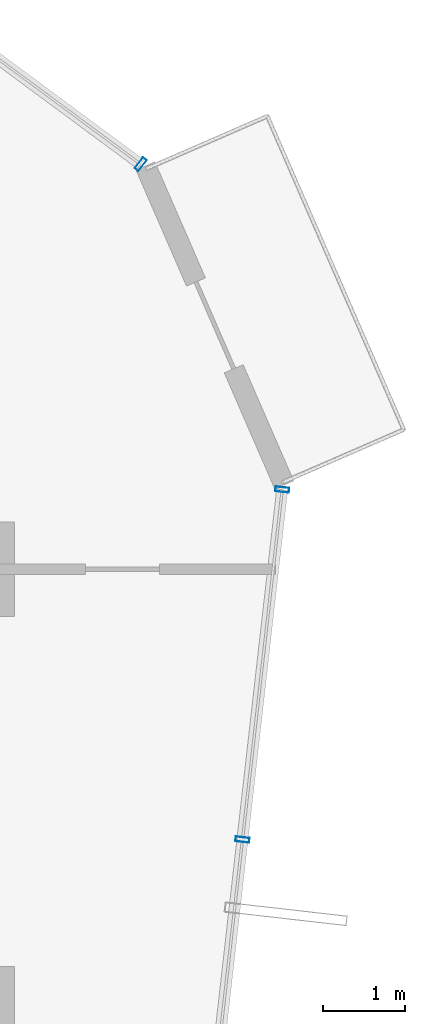
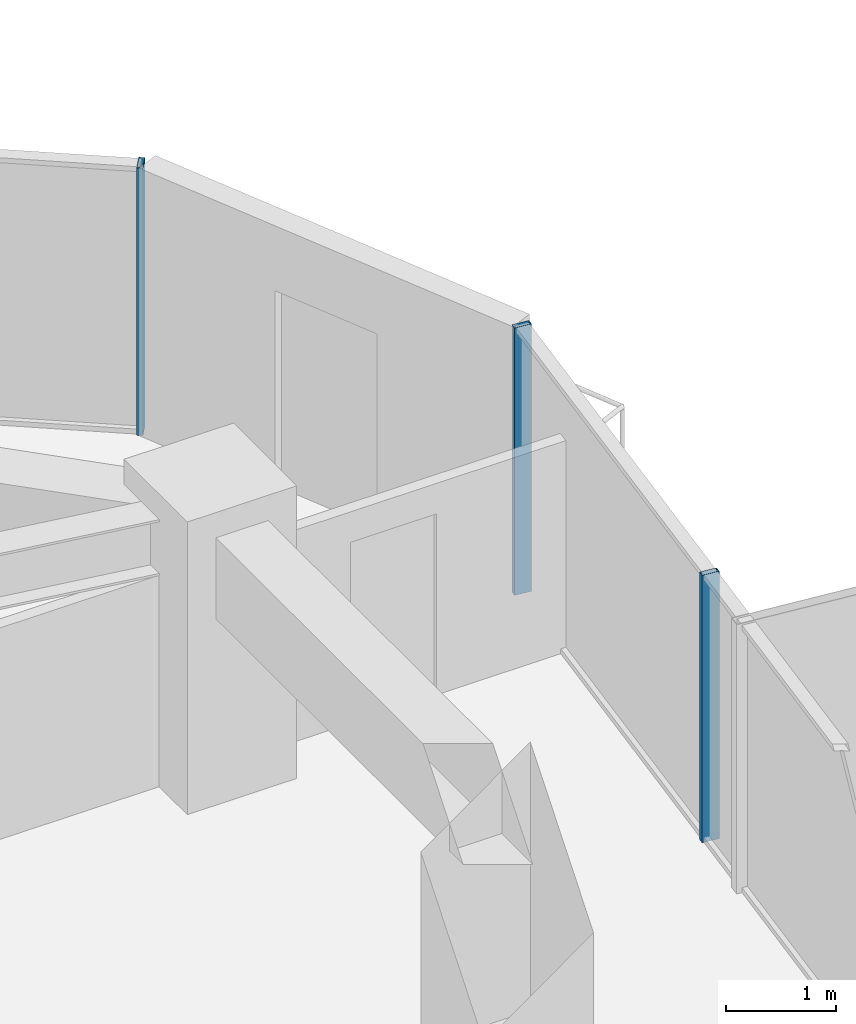
# One storey, part 16 of 29: 3 members, 2 elements without a shape of their own.
"""IFC4 building model written with IfcOpenShell, lengths in metres."""

from ifc_helpers import new_model, si_unit, direction, frame, origin, origin_2d, place, context, subcontext, project, spatial, hollow_rectangle, extrude, source, transform, mapped, material, layer, layer_set, material_profile, profile_set, type_object, element, aggregate, save


model = new_model("IFC4")

# Units and contexts
model_context = context("Model", 3, precision=1e-05, world=origin(), true_north=direction((0.0, 1.0)))
body_context = subcontext(model_context, "Body", "Model", "MODEL_VIEW")
ifc_project = project(units=[si_unit("LENGTHUNIT", "METRE"), si_unit("AREAUNIT", "SQUARE_METRE"), si_unit("VOLUMEUNIT", "CUBIC_METRE"), si_unit("PLANEANGLEUNIT", "RADIAN"), si_unit("MASSUNIT", "GRAM", prefix="KILO")], contexts=[model_context])

# Site, building, storey
site_placement = place(None, origin())
site = spatial("IfcSite", under=ifc_project, at=site_placement, CompositionType="ELEMENT")
building_placement = place(site_placement, origin())
building = spatial("IfcBuilding", under=site, at=building_placement, Name="Veraguas Prism Commons", CompositionType="ELEMENT")
storey_placement = place(building_placement, frame((0.0, 0.0, 105.699951171875)))
storey = spatial("IfcBuildingStorey", under=building, at=storey_placement, Name="L29", CompositionType="ELEMENT", Elevation=105.699951171875)

# Curtain wall, member
ifc_material = material(Name="Anodised aluminium EN AW-6063 T6", Category="aluminium")
ifc_layer = layer(ifc_material, 0.169921875, Name="Unitised Flush Curtain Wall Zone 2", Category="aluminium")
ifc_layer_set = layer_set([ifc_layer], Name="Anodised aluminium EN AW-6063 T6")
curtain_wall_type = type_object("IfcCurtainWallType", Name="Unitised Flush Curtain Wall Zone 2", PredefinedType="NOTDEFINED", material=ifc_layer_set)
curtain_wall_1_placement = place(storey_placement, origin())
curtain_wall_1 = element("IfcCurtainWall", 1, at=curtain_wall_1_placement, inside=storey, type_object=curtain_wall_type, Name="Tower Facade Curtain Wall L29-F1", PredefinedType="NOTDEFINED")
ifc_material_profile = material_profile(ifc_material, hollow_rectangle(XDim=0.06005859375, YDim=0.169921875, WallThickness=0.00390625, at=origin_2d()), Name="AL60X170X4")
ifc_profile_set = profile_set([ifc_material_profile], Name="Anodised aluminium EN AW-6063 T6")
member_type = type_object("IfcMemberType", Name="Curtain Wall Mullion Lower AL 60x170x4", PredefinedType="MULLION", material=ifc_profile_set)
shared_shape = source(origin(), body_context, "Body", "SweptSolid", [
    extrude(hollow_rectangle(XDim=0.06005859375, YDim=0.169921875, WallThickness=0.00390625, at=origin_2d()), origin(), (0.0, 0.0, 1.0), 2.969970703125),
])
member_1_placement = place(storey_placement, frame((42.3095703125, 34.318603515625, 0.0), z_axis=(0.0, 0.0, 1.0), x_axis=(-0.804067556966, 0.59453794146, 0.0)))
member_1 = element("IfcMember", 2, at=member_1_placement, type_object=member_type, Name="CW-Z2 Mullion 1", PredefinedType="MULLION", context=body_context, shape_type="MappedRepresentation", body=[
    mapped(shared_shape, transform((0.0, 0.0, 0.0), scale=1.0)),
])
aggregate(curtain_wall_1, [member_1])

# Curtain wall, members
curtain_wall_2_placement = place(storey_placement, origin())
curtain_wall_2 = element("IfcCurtainWall", 3, at=curtain_wall_2_placement, inside=storey, type_object=curtain_wall_type, Name="Tower Facade Curtain Wall L29-F6", PredefinedType="NOTDEFINED")
member_2_placement = place(storey_placement, frame((43.546142578125, 26.1162109375, 0.0), z_axis=(0.0, 0.0, 1.0), x_axis=(0.112856384873, 0.99361131052, 0.0)))
member_2 = element("IfcMember", 4, at=member_2_placement, type_object=member_type, Name="CW-Z2 Mullion 4", PredefinedType="MULLION", context=body_context, shape_type="MappedRepresentation", body=[
    mapped(shared_shape, transform((0.0, 0.0, 0.0), scale=1.0)),
])
member_3_placement = place(storey_placement, frame((44.029052734375, 30.367431640625, 0.0), z_axis=(0.0, 0.0, 1.0), x_axis=(0.112856384873, 0.99361131052, 0.0)))
member_3 = element("IfcMember", 5, at=member_3_placement, type_object=member_type, Name="CW-Z2 Mullion 5", PredefinedType="MULLION", context=body_context, shape_type="MappedRepresentation", body=[
    mapped(shared_shape, transform((0.0, 0.0, 0.0), scale=1.0)),
])
aggregate(curtain_wall_2, [member_2, member_3])

save(model, "model.ifc")
